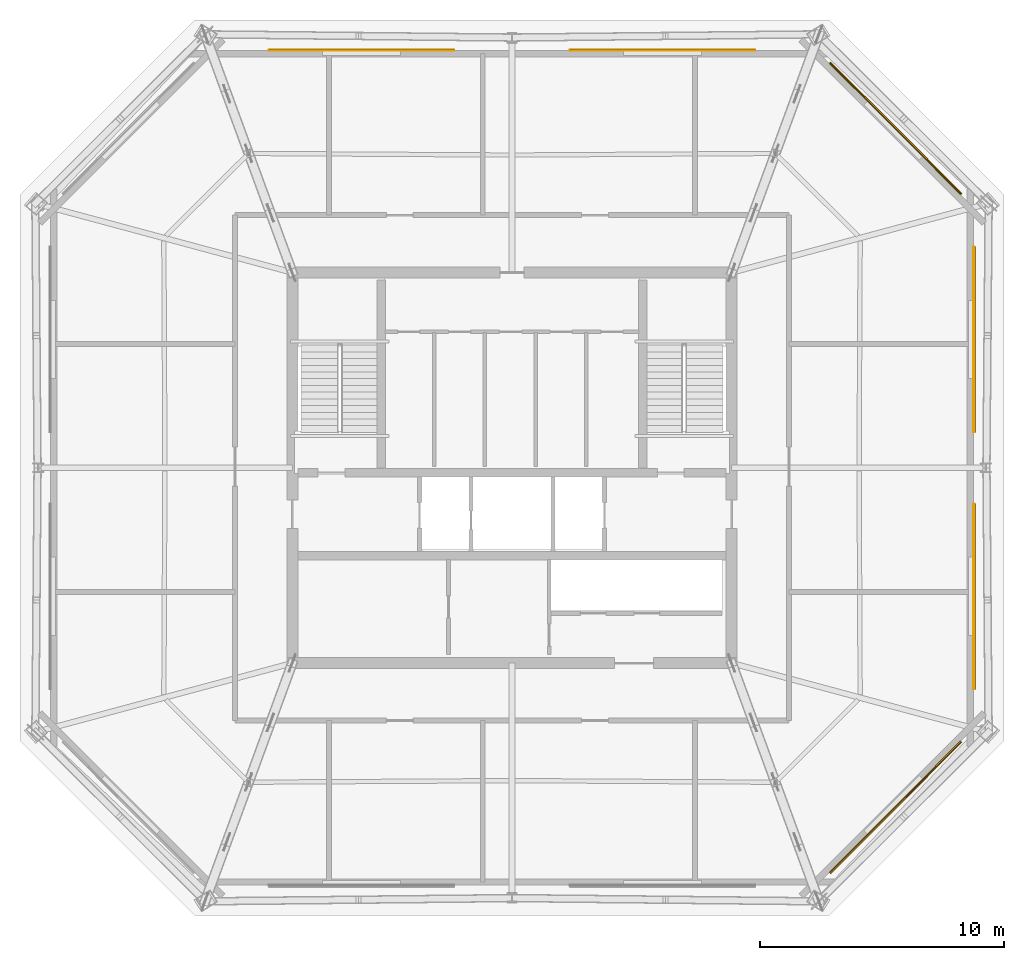
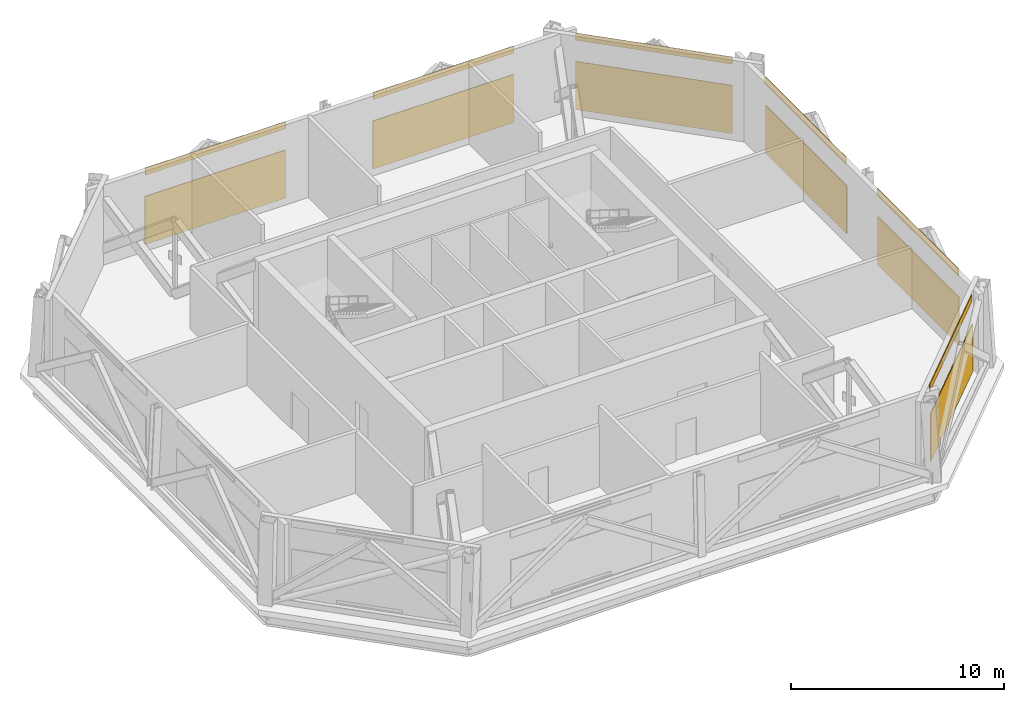
# One storey, part 10 of 10: 6 coverings, 6 shading devices.
"""IFC4 building model written with IfcOpenShell, lengths in metres."""

from ifc_helpers import new_model, si_unit, direction, frame, origin, origin_2d, place, context, subcontext, project, spatial, rectangle, extrude, material, layer, layer_set, type_object, element, save


model = new_model("IFC4")

# Units and contexts
model_context = context("Model", 3, precision=1e-05, world=origin(), true_north=direction((0.0, 1.0)))
body_context = subcontext(model_context, "Body", "Model", "MODEL_VIEW")
ifc_project = project(units=[si_unit("LENGTHUNIT", "METRE"), si_unit("AREAUNIT", "SQUARE_METRE"), si_unit("VOLUMEUNIT", "CUBIC_METRE"), si_unit("PLANEANGLEUNIT", "RADIAN"), si_unit("MASSUNIT", "GRAM", prefix="KILO")], contexts=[model_context])

# Site, building, storey
site_placement = place(None, origin())
site = spatial("IfcSite", under=ifc_project, at=site_placement, CompositionType="ELEMENT")
building_placement = place(site_placement, origin())
building = spatial("IfcBuilding", under=site, at=building_placement, Name="Caelvoria Tower", CompositionType="ELEMENT")
storey_placement = place(building_placement, frame((0.0, 0.0, 234.60009765625)))
storey = spatial("IfcBuildingStorey", under=building, at=storey_placement, Name="L62", CompositionType="ELEMENT", Elevation=234.60009765625)

# Coverings
ifc_material_1 = material(Name="Perforated Architectural Bronze Cladding Screen", Category="bronze")
ifc_layer_1 = layer(ifc_material_1, 0.0400390625, Name="Perforated Architectural Bronze Cladding Screen")
ifc_layer_set_1 = layer_set([ifc_layer_1], Name="Perforated Bronze Louvre Cladding Band 40 - Perforated Architectural Bronze Cladding Screen")
covering_type = type_object("IfcCoveringType", Name="Perforated Bronze Louvre Cladding Band 40", PredefinedType="CLADDING", material=ifc_layer_set_1)
for number, where, z_axis, x_axis, name in (
    (1, (61.697265625, 18.11181640625, 4.155029296875), (0.0, 0.0, 1.0), (0.707106781187, 0.707106781187, 0.0), "Perforated Bronze Screen Band L62-E1-00"),
    (2, (64.91650390625, 26.739013671875, 4.155029296875), (0.0, 0.0, 1.0), (0.0, 1.0, 0.0), "Perforated Bronze Screen Band L62-E2-00"),
    (3, (64.91650390625, 37.260986328125, 4.155029296875), (0.0, 0.0, 1.0), (0.0, 1.0, 0.0), "Perforated Bronze Screen Band L62-E2-01"),
    (4, (61.697265625, 45.88818359375, 4.155029296875), (0.0, 0.0, 1.0), (-0.707106781187, 0.707106781187, 0.0), "Perforated Bronze Screen Band L62-E3-00"),
    (5, (52.165283203125, 49.107421875, 4.155029296875), (0.0, 0.0, 1.0), (-1.0, 0.0, 0.0), "Perforated Bronze Screen Band L62-E4-00"),
    (6, (39.834716796875, 49.107421875, 4.155029296875), (0.0, 0.0, 1.0), (-1.0, 0.0, 0.0), "Perforated Bronze Screen Band L62-E4-01"),
):
    element("IfcCovering", number, at=place(storey_placement, frame(where, z_axis=z_axis, x_axis=x_axis)), inside=storey, type_object=covering_type, Name=name, PredefinedType="CLADDING", context=body_context, shape_type="SweptSolid", body=[
        extrude(rectangle(XDim=7.60009765625, YDim=0.0400390625, at=origin_2d()), origin(), (0.0, 0.0, 1.0), 0.39990234375),
    ])

# Shading devices
ifc_material_2 = material(Name="Perforated Architectural Bronze Alloy Panel", Category="bronze")
ifc_layer_2 = layer(ifc_material_2, 0.044921875, Name="Perforated Architectural Bronze Alloy Panel")
ifc_layer_set_2 = layer_set([ifc_layer_2], Name="Perforated Bronze Solar Screen Panel SCREEN - Perforated Architectural Bronze Alloy Panel")
shading_device_type = type_object("IfcShadingDeviceType", Name="Perforated Bronze Solar Screen Panel SCREEN", PredefinedType="USERDEFINED", material=ifc_layer_set_2)
for number, where, z_axis, x_axis, name in (
    (7, (61.727783203125, 18.081298828125, 0.159912109375), (0.0, 0.0, 1.0), (0.707106781187, 0.707106781187, 0.0), "Perforated Bronze Solar Screen L62-E1-00"),
    (8, (64.95947265625, 26.739013671875, 0.159912109375), (0.0, 0.0, 1.0), (0.0, 1.0, 0.0), "Perforated Bronze Solar Screen L62-E2-00"),
    (9, (64.95947265625, 37.260986328125, 0.159912109375), (0.0, 0.0, 1.0), (0.0, 1.0, 0.0), "Perforated Bronze Solar Screen L62-E2-01"),
    (10, (61.727783203125, 45.918701171875, 0.159912109375), (0.0, 0.0, 1.0), (-0.707106781187, 0.707106781187, 0.0), "Perforated Bronze Solar Screen L62-E3-00"),
    (11, (52.165283203125, 49.150390625, 0.159912109375), (0.0, 0.0, 1.0), (-1.0, 0.0, 0.0), "Perforated Bronze Solar Screen L62-E4-00"),
    (12, (39.834716796875, 49.150390625, 0.159912109375), (0.0, 0.0, 1.0), (-1.0, 0.0, 0.0), "Perforated Bronze Solar Screen L62-E4-01"),
):
    element("IfcShadingDevice", number, at=place(storey_placement, frame(where, z_axis=z_axis, x_axis=x_axis)), inside=storey, type_object=shading_device_type, Name=name, ObjectType="SCREEN", PredefinedType="USERDEFINED", context=body_context, shape_type="SweptSolid", body=[
        extrude(rectangle(XDim=7.60009765625, YDim=0.044921875, at=origin_2d()), origin(), (0.0, 0.0, 1.0), 2.75),
    ])

save(model, "model.ifc")
